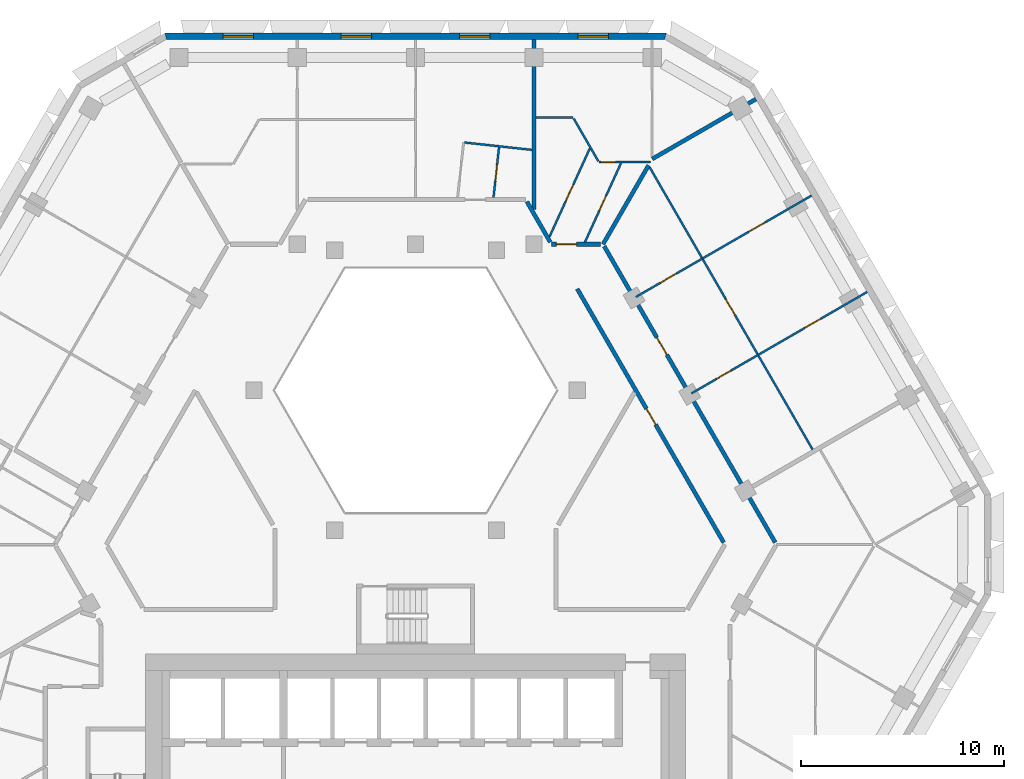
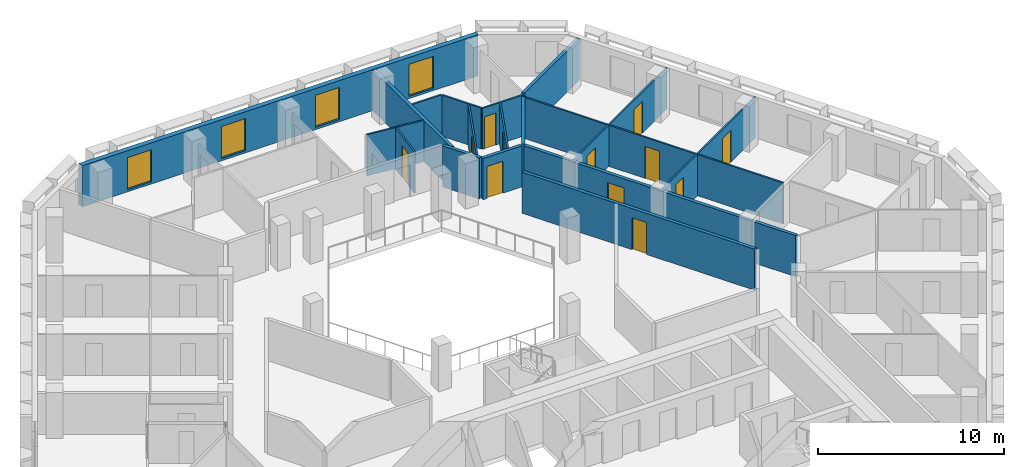
# One storey, part 8 of 15: 20 walls, 12 doors, 4 windows, 16 openings.
"""IFC4 building model written with IfcOpenShell, lengths in metres."""

import ifcopenshell
import ifcopenshell.guid

model = None  # the IFC model being written
_history = None  # IfcOwnerHistory: only IFC2X3 demands one
_inside = {}  # id of a spatial element -> (the spatial element, [elements in it])
_under = {}  # id of a project, library or spatial element -> (it, [spatial elements below it])
_declared = {}  # id of a project -> (the project, [libraries it declares])
_typed = {}  # id of a type object -> (the type object, [elements of that type])
_made_of = {}  # id of a material, layer set ... -> (it, [elements and type objects made of it])


def new_model(schema):
    """Start an empty IFC model of exactly this schema.

    Asked for "IFC4X3", IfcOpenShell would pick the latest addendum, in which some entities
    have other attributes; the version numbers below select the first issue.
    IFC2X3 requires an IfcOwnerHistory on every rooted entity: one is made here for all.
    """
    global model, _history
    if schema == "IFC4X3":
        model = ifcopenshell.file(schema_version=(4, 3, 0, 0))
    else:
        model = ifcopenshell.file(schema=schema)
    _inside.clear()
    _under.clear()
    _declared.clear()
    _typed.clear()
    _made_of.clear()
    _history = None
    if model.schema == "IFC2X3":
        org = make("IfcOrganization", Name="unknown")
        user = make(
            "IfcPersonAndOrganization",
            ThePerson=make("IfcPerson", FamilyName="unknown"),
            TheOrganization=org,
        )
        app = make(
            "IfcApplication",
            ApplicationDeveloper=org,
            Version="unknown",
            ApplicationFullName="unknown",
            ApplicationIdentifier="unknown",
        )
        _history = make(
            "IfcOwnerHistory",
            OwningUser=user,
            OwningApplication=app,
            ChangeAction="ADDED",
            CreationDate=0,
        )
    return model


def make(cls, **values):
    """One entity of the class cls with the attributes given. An attribute that is None is left unset."""
    return model.create_entity(
        cls, **{name: value for name, value in values.items() if value is not None}
    )


def rooted(cls, **values):
    """An entity with a GlobalId (a new one), such as an element, a storey or a relation."""
    return make(cls, GlobalId=ifcopenshell.guid.new(), OwnerHistory=_history, **values)


def si_unit(unit_type, name, prefix=None):
    """IfcSIUnit, for example si_unit("LENGTHUNIT", "METRE", prefix="MILLI")."""
    return make("IfcSIUnit", UnitType=unit_type, Prefix=prefix, Name=name)


def assignment(units):
    """IfcUnitAssignment: the units of a project."""
    return None if units is None else make("IfcUnitAssignment", Units=units)


def point(xyz):
    """IfcCartesianPoint."""
    return None if xyz is None else make("IfcCartesianPoint", Coordinates=xyz)


def direction(xyz):
    """IfcDirection."""
    return None if xyz is None else make("IfcDirection", DirectionRatios=xyz)


def frame(location, z_axis=None, x_axis=None):
    """IfcAxis2Placement3D, a coordinate frame: its origin and axes. An axis left out is left unset."""
    return make(
        "IfcAxis2Placement3D",
        Location=point(location),
        Axis=direction(z_axis),
        RefDirection=direction(x_axis),
    )


def frame_2d(location, x_axis=None):
    """IfcAxis2Placement2D, a coordinate frame in the plane: its origin and x axis."""
    return make(
        "IfcAxis2Placement2D", Location=point(location), RefDirection=direction(x_axis)
    )


def origin():
    """The frame at (0, 0, 0) with its axes left unset."""
    return frame((0.0, 0.0, 0.0))


def place(relative_to, where):
    """IfcLocalPlacement: puts the frame where relative to a parent placement (None: the world)."""
    return make(
        "IfcLocalPlacement", PlacementRelTo=relative_to, RelativePlacement=where
    )


def context(
    kind, dimensions, precision=None, world=None, true_north=None, identifier=None
):
    """IfcGeometricRepresentationContext, for example the 3D "Model" context."""
    return make(
        "IfcGeometricRepresentationContext",
        ContextIdentifier=identifier,
        ContextType=kind,
        CoordinateSpaceDimension=dimensions,
        Precision=precision,
        WorldCoordinateSystem=world,
        TrueNorth=true_north,
    )


def subcontext(parent, identifier, kind, view, scale=None):
    """IfcGeometricRepresentationSubContext, for example "Body" below "Model"."""
    return make(
        "IfcGeometricRepresentationSubContext",
        ContextIdentifier=identifier,
        ContextType=kind,
        ParentContext=parent,
        TargetScale=scale,
        TargetView=view,
    )


def project(units=None, contexts=None):
    """IfcProject with its units and contexts."""
    return rooted(
        "IfcProject",
        Name="project",
        RepresentationContexts=contexts,
        UnitsInContext=assignment(units),
    )


def spatial(cls, under=None, at=None, **own):
    """A site, building, storey or space (cls), placed at a placement, below another one or the project."""
    s = rooted(cls, ObjectPlacement=at, **own)
    if under is not None:
        _under.setdefault(under.id(), (under, []))[1].append(s)
    return s


def polyline(points):
    """IfcPolyline through the points."""
    return make("IfcPolyline", Points=[point(p) for p in points])


def profile(cls, at=None, kind="AREA", **sizes):
    """A parametric profile (cls). Its sizes go by their IFC names, for example OverallWidth=200.0."""
    return make(cls, ProfileType=kind, Position=at, **sizes)


def rectangle(**sizes):
    """IfcRectangleProfileDef."""
    return profile("IfcRectangleProfileDef", **sizes)


def outline(outer, holes=None, kind="AREA"):
    """IfcArbitraryClosedProfileDef: a profile drawn as a closed curve; with holes, ...WithVoids."""
    if holes is None:
        return make("IfcArbitraryClosedProfileDef", ProfileType=kind, OuterCurve=outer)
    return make(
        "IfcArbitraryProfileDefWithVoids",
        ProfileType=kind,
        OuterCurve=outer,
        InnerCurves=holes,
    )


def extrude(swept, where, along, depth):
    """IfcExtrudedAreaSolid: the profile swept, set in the frame where, extruded along a direction by depth."""
    return make(
        "IfcExtrudedAreaSolid",
        SweptArea=swept,
        Position=where,
        ExtrudedDirection=direction(along),
        Depth=depth,
    )


def shape(context_of_items, identifier, shape_type, items):
    """IfcShapeRepresentation: the items that make up one representation, for example the "Body"."""
    return make(
        "IfcShapeRepresentation",
        ContextOfItems=context_of_items,
        RepresentationIdentifier=identifier,
        RepresentationType=shape_type,
        Items=items,
    )


def material(Name=None, Category=None):
    """IfcMaterial."""
    return make("IfcMaterial", Name=Name, Category=Category)


def layer(
    of_material, thickness, ventilated=None, Name=None, Category=None, Priority=None
):
    """IfcMaterialLayer: one layer of a wall or slab, of a material (None: an air gap)."""
    return make(
        "IfcMaterialLayer",
        Material=of_material,
        LayerThickness=thickness,
        IsVentilated=ventilated,
        Name=Name,
        Category=Category,
        Priority=Priority,
    )


def layer_set(layers, Name=None):
    """IfcMaterialLayerSet."""
    return make("IfcMaterialLayerSet", MaterialLayers=layers, LayerSetName=Name)


def made_of(thing, what):
    """Note that an element or type object is made of a material, layer set ...; save() writes the relation."""
    if what is not None:
        _made_of.setdefault(what.id(), (what, []))[1].append(thing)
    return thing


def type_object(cls, material=None, **own):
    """A type object (cls), such as IfcWallType, which elements share."""
    return made_of(rooted(cls, **own), material)


def element(
    cls,
    number,
    at=None,
    inside=None,
    cuts=None,
    type_object=None,
    material=None,
    context=None,
    identifier="Body",
    shape_type=None,
    held_by="IfcProductDefinitionShape",
    body=None,
    shapes=None,
    **own,
):
    """One element of the class cls, such as IfcWall. Its Tag is "e" and its number.

    at: its placement. inside: the storey or other place that contains it. cuts: it is an
    opening in that element (IfcRelVoidsElement). A single representation is given by context,
    identifier, shape_type and body (its items); several are given by shapes. held_by: the class
    of the entity that holds the representations. save() writes the other relations.
    """
    e = rooted(cls, Tag="e%d" % number, ObjectPlacement=at, **own)
    if body is not None:
        shapes = [shape(context, identifier, shape_type, body)]
    if shapes is not None:
        e.Representation = make(held_by, Representations=shapes)
    if inside is not None:
        _inside.setdefault(inside.id(), (inside, []))[1].append(e)
    if cuts is not None:
        rooted(
            "IfcRelVoidsElement", RelatingBuildingElement=cuts, RelatedOpeningElement=e
        )
    if type_object is not None:
        _typed.setdefault(type_object.id(), (type_object, []))[1].append(e)
    return made_of(e, material)


def fill(opening, filler):
    """IfcRelFillsElement: the door or window that sits in an opening."""
    return rooted(
        "IfcRelFillsElement",
        RelatingOpeningElement=opening,
        RelatedBuildingElement=filler,
    )


def aggregate(whole, parts):
    """IfcRelAggregates: a whole, such as a stair, and the parts it consists of."""
    return rooted("IfcRelAggregates", RelatingObject=whole, RelatedObjects=parts)


def save(model, path):
    """Write the relations noted so far, then the file.

    IfcRelAggregates (storeys below a building ...), IfcRelContainedInSpatialStructure (elements
    in a storey), IfcRelDefinesByType, IfcRelAssociatesMaterial and IfcRelDeclares: one each for
    every whole, place, type object, material and project.
    """
    for whole, parts in _under.values():
        aggregate(whole, parts)
    for where, things in _inside.values():
        rooted(
            "IfcRelContainedInSpatialStructure",
            RelatedElements=things,
            RelatingStructure=where,
        )
    for kind, things in _typed.values():
        rooted("IfcRelDefinesByType", RelatedObjects=things, RelatingType=kind)
    for what, things in _made_of.values():
        rooted("IfcRelAssociatesMaterial", RelatedObjects=things, RelatingMaterial=what)
    for by, libraries in _declared.values():
        rooted("IfcRelDeclares", RelatingContext=by, RelatedDefinitions=libraries)
    model.write(path)


model = new_model("IFC4")

# Units and contexts
model_context = context("Model", 3, precision=1e-05, world=origin(), true_north=direction((0.0, 1.0)))
body_context = subcontext(model_context, "Body", "Model", "MODEL_VIEW")
ifc_project = project(units=[si_unit("LENGTHUNIT", "METRE"), si_unit("AREAUNIT", "SQUARE_METRE"), si_unit("VOLUMEUNIT", "CUBIC_METRE"), si_unit("PLANEANGLEUNIT", "RADIAN"), si_unit("MASSUNIT", "GRAM", prefix="KILO")], contexts=[model_context])

# Site, building, storey
site_placement = place(None, origin())
site = spatial("IfcSite", under=ifc_project, at=site_placement, CompositionType="ELEMENT")
building_placement = place(site_placement, origin())
building = spatial("IfcBuilding", under=site, at=building_placement, Name="Beryl Residences", CompositionType="ELEMENT")
storey_placement = place(building_placement, frame((0.0, 0.0, 129.60009765625)))
storey = spatial("IfcBuildingStorey", under=building, at=storey_placement, Name="L39", CompositionType="ELEMENT", Elevation=129.60009765625)

# Wall, openings, windows
ifc_material_1 = material(Name="Composite metal panel with mineral wool insulation")
ifc_layer_1 = layer(ifc_material_1, 0.300048828125)
ifc_layer_set_1 = layer_set([ifc_layer_1], Name="ES1 pale metal composite panel wall 300 mm")
wall_type_1 = type_object("IfcWallType", Name="ES1 pale metal composite panel wall 300 mm", PredefinedType="SOLIDWALL", material=ifc_layer_set_1)
wall_1_placement = place(storey_placement, frame((12.35498046875, 25.449951171875, 0.0), z_axis=(0.0, 0.0, 1.0), x_axis=(-1.0, 0.0, 0.0)))
wall_1 = element("IfcWall", 1, at=wall_1_placement, inside=storey, type_object=wall_type_1, Name="ES1 external wall L39 N", PredefinedType="SOLIDWALL", context=body_context, shape_type="SweptSolid", body=[
    extrude(outline(polyline([(0.0, -0.14990234375), (24.7099609375, -0.14990234375), (24.629638671875, 0.14990234375), (0.080322265625, 0.14990234375), (0.0, -0.14990234375)])), origin(), (0.0, 0.0, 1.0), 2.699951171875),
])
opening_1_placement = place(wall_1_placement, frame((2.85791015625, 0.0, 0.14990234375)))
opening_1 = element("IfcOpeningElement", 2, at=opening_1_placement, cuts=wall_1, Name="Opening W1", PredefinedType="OPENING", context=body_context, shape_type="SweptSolid", body=[
    extrude(rectangle(XDim=1.5, YDim=2.10009765625, at=frame_2d((0.75, 1.050048828125))), frame((0.0, 0.159912109375, 0.0), z_axis=(0.0, -1.0, 0.0), x_axis=(1.0, 0.0, 0.0)), (0.0, 0.0, 1.0), 0.320068359375),
])
opening_2_placement = place(wall_1_placement, frame((8.68896484375, 0.0, 0.14990234375)))
opening_2 = element("IfcOpeningElement", 3, at=opening_2_placement, cuts=wall_1, Name="Opening W1", PredefinedType="OPENING", context=body_context, shape_type="SweptSolid", body=[
    extrude(rectangle(XDim=1.5, YDim=2.10009765625, at=frame_2d((0.75, 1.050048828125))), frame((0.0, 0.159912109375, 0.0), z_axis=(0.0, -1.0, 0.0), x_axis=(1.0, 0.0, 0.0)), (0.0, 0.0, 1.0), 0.320068359375),
])
opening_3_placement = place(wall_1_placement, frame((14.52099609375, 0.0, 0.14990234375)))
opening_3 = element("IfcOpeningElement", 4, at=opening_3_placement, cuts=wall_1, Name="Opening W1", PredefinedType="OPENING", context=body_context, shape_type="SweptSolid", body=[
    extrude(rectangle(XDim=1.5, YDim=2.10009765625, at=frame_2d((0.75, 1.050048828125))), frame((0.0, 0.159912109375, 0.0), z_axis=(0.0, -1.0, 0.0), x_axis=(1.0, 0.0, 0.0)), (0.0, 0.0, 1.0), 0.320068359375),
])
opening_4_placement = place(wall_1_placement, frame((20.35205078125, 0.0, 0.14990234375)))
opening_4 = element("IfcOpeningElement", 5, at=opening_4_placement, cuts=wall_1, Name="Opening W1", PredefinedType="OPENING", context=body_context, shape_type="SweptSolid", body=[
    extrude(rectangle(XDim=1.5, YDim=2.10009765625, at=frame_2d((0.75, 1.050048828125))), frame((0.0, 0.159912109375, 0.0), z_axis=(0.0, -1.0, 0.0), x_axis=(1.0, 0.0, 0.0)), (0.0, 0.0, 1.0), 0.320068359375),
])
ifc_material_2 = material(Name="Aluminium and clear glass", Category="aluminium")
window_type = type_object("IfcWindowType", Name="W1 cell window 1500 x 2100 mm", PartitioningType="SINGLE_PANEL", PredefinedType="WINDOW", material=ifc_material_2)
window_1_placement = place(opening_1_placement, origin())
window_1 = element("IfcWindow", 6, at=window_1_placement, inside=storey, type_object=window_type, Name="W1 window L39 N 2", OverallHeight=2.10009765625, OverallWidth=1.5, PartitioningType="SINGLE_PANEL", PredefinedType="WINDOW", context=body_context, shape_type="SweptSolid", body=[
    extrude(rectangle(XDim=1.5, YDim=2.10009765625, at=frame_2d((0.75, 1.050048828125))), frame((0.0, 0.030029296875, 0.0), z_axis=(0.0, -1.0, 0.0), x_axis=(1.0, 0.0, 0.0)), (0.0, 0.0, 1.0), 0.06005859375),
])
fill(opening_1, window_1)
window_2_placement = place(opening_2_placement, origin())
window_2 = element("IfcWindow", 7, at=window_2_placement, inside=storey, type_object=window_type, Name="W1 window L39 N 4", OverallHeight=2.10009765625, OverallWidth=1.5, PartitioningType="SINGLE_PANEL", PredefinedType="WINDOW", context=body_context, shape_type="SweptSolid", body=[
    extrude(rectangle(XDim=1.5, YDim=2.10009765625, at=frame_2d((0.75, 1.050048828125))), frame((0.0, 0.030029296875, 0.0), z_axis=(0.0, -1.0, 0.0), x_axis=(1.0, 0.0, 0.0)), (0.0, 0.0, 1.0), 0.06005859375),
])
fill(opening_2, window_2)
window_3_placement = place(opening_3_placement, origin())
window_3 = element("IfcWindow", 8, at=window_3_placement, inside=storey, type_object=window_type, Name="W1 window L39 N 6", OverallHeight=2.10009765625, OverallWidth=1.5, PartitioningType="SINGLE_PANEL", PredefinedType="WINDOW", context=body_context, shape_type="SweptSolid", body=[
    extrude(rectangle(XDim=1.5, YDim=2.10009765625, at=frame_2d((0.75, 1.050048828125))), frame((0.0, 0.030029296875, 0.0), z_axis=(0.0, -1.0, 0.0), x_axis=(1.0, 0.0, 0.0)), (0.0, 0.0, 1.0), 0.06005859375),
])
fill(opening_3, window_3)
window_4_placement = place(opening_4_placement, origin())
window_4 = element("IfcWindow", 9, at=window_4_placement, inside=storey, type_object=window_type, Name="W1 window L39 N 8", OverallHeight=2.10009765625, OverallWidth=1.5, PartitioningType="SINGLE_PANEL", PredefinedType="WINDOW", context=body_context, shape_type="SweptSolid", body=[
    extrude(rectangle(XDim=1.5, YDim=2.10009765625, at=frame_2d((0.75, 1.050048828125))), frame((0.0, 0.030029296875, 0.0), z_axis=(0.0, -1.0, 0.0), x_axis=(1.0, 0.0, 0.0)), (0.0, 0.0, 1.0), 0.06005859375),
])
fill(opening_4, window_4)

# Wall
ifc_material_3 = material(Name="Gypsum board partition on steel studs", Category="steel")
ifc_layer_2 = layer(ifc_material_3, 0.10009765625)
ifc_layer_set_2 = layer_set([ifc_layer_2], Name="PT1 partition 100 mm gypsum board on steel studs")
wall_type_2 = type_object("IfcWallType", Name="PT1 partition 100 mm gypsum board on steel studs", PredefinedType="PARTITIONING", material=ifc_layer_set_2)
wall_2_placement = place(storey_placement, frame((7.7919921875, 21.39599609375, 0.0), z_axis=(0.0, 0.0, 1.0), x_axis=(0.499821239653, -0.866128586522, 0.0)))
element("IfcWall", 10, at=wall_2_placement, inside=storey, type_object=wall_type_2, Name="Wall PT1 L39 002", PredefinedType="PARTITIONING", context=body_context, shape_type="SweptSolid", body=[
    extrude(rectangle(XDim=2.4248046875, YDim=0.10009765625, at=frame_2d((1.21240234375, 0.0))), origin(), (0.0, 0.0, 1.0), 2.699951171875),
])

# Wall, opening, door
wall_3_placement = place(storey_placement, frame((11.5390625, 18.986083984375, 0.0), z_axis=(0.0, 0.0, 1.0), x_axis=(0.500019453803, -0.866014171835, 0.0)))
wall_3 = element("IfcWall", 11, at=wall_3_placement, inside=storey, type_object=wall_type_2, Name="Wall PT1 L39 003", PredefinedType="PARTITIONING", context=body_context, shape_type="SweptSolid", body=[
    extrude(rectangle(XDim=16.057373046875, YDim=0.10009765625, at=frame_2d((8.02880859375, 0.0))), origin(), (0.0, 0.0, 1.0), 2.699951171875),
])
opening_5_placement = place(wall_3_placement, frame((7.47998046875, 0.0, 0.0)))
opening_5 = element("IfcOpeningElement", 12, at=opening_5_placement, cuts=wall_3, Name="Opening D1220", PredefinedType="OPENING", context=body_context, shape_type="SweptSolid", body=[
    extrude(rectangle(XDim=0.89990234375, YDim=2.10009765625, at=frame_2d((0.449951171875, 1.050048828125))), frame((0.0, 0.06005859375, 0.0), z_axis=(0.0, -1.0, 0.0), x_axis=(1.0, 0.0, 0.0)), (0.0, 0.0, 1.0), 0.1201171875),
])
ifc_material_4 = material(Name="Timber door leaf", Category="wood")
door_type_1 = type_object("IfcDoorType", Name="D2 room door 900 x 2100 mm", OperationType="SINGLE_SWING_LEFT", PredefinedType="DOOR", material=ifc_material_4)
door_1_placement = place(opening_5_placement, origin())
door_1 = element("IfcDoor", 13, at=door_1_placement, inside=storey, type_object=door_type_1, Name="Door D1220 L39 001", OperationType="SINGLE_SWING_RIGHT", OverallHeight=2.10009765625, OverallWidth=0.89990234375, PredefinedType="DOOR", context=body_context, shape_type="SweptSolid", body=[
    extrude(rectangle(XDim=0.89990234375, YDim=2.10009765625, at=frame_2d((0.449951171875, 1.050048828125))), frame((0.0, 0.02490234375, 0.0), z_axis=(0.0, -1.0, 0.0), x_axis=(1.0, 0.0, 0.0)), (0.0, 0.0, 1.0), 0.050048828125),
])
fill(opening_5, door_1)

# Wall
wall_4_placement = place(storey_placement, frame((2.4189453125, 20.212890625, 0.0), z_axis=(0.0, 0.0, 1.0), x_axis=(0.994022340378, -0.109176860325, 0.0)))
element("IfcWall", 14, at=wall_4_placement, inside=storey, type_object=wall_type_2, Name="Wall PT1 L39 005", PredefinedType="PARTITIONING", context=body_context, shape_type="SweptSolid", body=[
    extrude(rectangle(XDim=3.33203125, YDim=0.10009765625, at=frame_2d((1.666015625, 0.0))), origin(), (0.0, 0.0, 1.0), 2.699951171875),
])

# Wall, opening, door
wall_5_placement = place(storey_placement, frame((9.032958984375, 19.24609375, 0.0), z_axis=(0.0, 0.0, 1.0), x_axis=(1.0, 0.0, 0.0)))
wall_5 = element("IfcWall", 15, at=wall_5_placement, inside=storey, type_object=wall_type_2, Name="Wall PT1 L39 026", PredefinedType="PARTITIONING", context=body_context, shape_type="SweptSolid", body=[
    extrude(rectangle(XDim=2.541015625, YDim=0.10009765625, at=frame_2d((1.2705078125, 0.0))), origin(), (0.0, 0.0, 1.0), 2.699951171875),
])
opening_6_placement = place(wall_5_placement, frame((0.116943359375, 0.0, 0.0)))
opening_6 = element("IfcOpeningElement", 16, at=opening_6_placement, cuts=wall_5, Name="Opening D1228", PredefinedType="OPENING", context=body_context, shape_type="SweptSolid", body=[
    extrude(rectangle(XDim=0.699951171875, YDim=2.10009765625, at=frame_2d((0.35009765625, 1.050048828125))), frame((0.0, 0.06005859375, 0.0), z_axis=(0.0, -1.0, 0.0), x_axis=(1.0, 0.0, 0.0)), (0.0, 0.0, 1.0), 0.1201171875),
])
ifc_material_5 = material(Name="Timber door leaf", Category="wood")
door_type_2 = type_object("IfcDoorType", Name="D14 room door 700 x 2100 mm", OperationType="SINGLE_SWING_LEFT", PredefinedType="DOOR", material=ifc_material_5)
door_2_placement = place(opening_6_placement, origin())
door_2 = element("IfcDoor", 17, at=door_2_placement, inside=storey, type_object=door_type_2, Name="Door D1228 L39 001", OperationType="SINGLE_SWING_RIGHT", OverallHeight=2.10009765625, OverallWidth=0.699951171875, PredefinedType="DOOR", context=body_context, shape_type="SweptSolid", body=[
    extrude(rectangle(XDim=0.699951171875, YDim=2.10009765625, at=frame_2d((0.35009765625, 1.050048828125))), frame((0.0, 0.02490234375, 0.0), z_axis=(0.0, -1.0, 0.0), x_axis=(1.0, 0.0, 0.0)), (0.0, 0.0, 1.0), 0.050048828125),
])
fill(opening_6, door_2)

# Wall
wall_6_placement = place(storey_placement, frame((5.930908203125, 21.446044921875, 0.0), z_axis=(0.0, 0.0, 1.0), x_axis=(1.0, 0.0, 0.0)))
element("IfcWall", 18, at=wall_6_placement, inside=storey, type_object=wall_type_2, Name="Wall PT1 L39 028", PredefinedType="PARTITIONING", context=body_context, shape_type="SweptSolid", body=[
    extrude(rectangle(XDim=1.83203125, YDim=0.10009765625, at=frame_2d((0.916015625, 0.0))), origin(), (0.0, 0.0, 1.0), 2.699951171875),
])

# Wall, opening, door
wall_7_placement = place(storey_placement, frame((8.345947265625, 15.300048828125, 0.0), z_axis=(0.0, 0.0, 1.0), x_axis=(0.415189790387, 0.909734817383, 0.0)))
wall_7 = element("IfcWall", 19, at=wall_7_placement, inside=storey, type_object=wall_type_2, Name="Wall PT1 L39 033", PredefinedType="PARTITIONING", context=body_context, shape_type="SweptSolid", body=[
    extrude(rectangle(XDim=4.282470703125, YDim=0.10009765625, at=frame_2d((2.14111328125, 0.0))), origin(), (0.0, 0.0, 1.0), 2.699951171875),
])
opening_7_placement = place(wall_7_placement, frame((1.714111328125, 0.0, 0.0)))
opening_7 = element("IfcOpeningElement", 20, at=opening_7_placement, cuts=wall_7, Name="Opening D1227", PredefinedType="OPENING", context=body_context, shape_type="SweptSolid", body=[
    extrude(rectangle(XDim=0.800048828125, YDim=2.10009765625, at=frame_2d((0.39990234375, 1.050048828125))), frame((0.0, 0.06005859375, 0.0), z_axis=(0.0, -1.0, 0.0), x_axis=(1.0, 0.0, 0.0)), (0.0, 0.0, 1.0), 0.1201171875),
])
ifc_material_6 = material(Name="Timber door leaf", Category="wood")
door_type_3 = type_object("IfcDoorType", Name="D3 bathroom door 800 x 2100 mm", OperationType="SINGLE_SWING_LEFT", PredefinedType="DOOR", material=ifc_material_6)
door_3_placement = place(opening_7_placement, origin())
door_3 = element("IfcDoor", 21, at=door_3_placement, inside=storey, type_object=door_type_3, Name="Door D1227 L39 001", OperationType="SINGLE_SWING_LEFT", OverallHeight=2.10009765625, OverallWidth=0.800048828125, PredefinedType="DOOR", context=body_context, shape_type="SweptSolid", body=[
    extrude(rectangle(XDim=0.800048828125, YDim=2.10009765625, at=frame_2d((0.39990234375, 1.050048828125))), frame((0.0, 0.02490234375, 0.0), z_axis=(0.0, -1.0, 0.0), x_axis=(1.0, 0.0, 0.0)), (0.0, 0.0, 1.0), 0.050048828125),
])
fill(opening_7, door_3)

wall_8_placement = place(storey_placement, frame((6.60009765625, 15.569091796875, 0.0), z_axis=(0.0, 0.0, 1.0), x_axis=(0.415221636251, 0.909720282718, 0.0)))
wall_8 = element("IfcWall", 22, at=wall_8_placement, inside=storey, type_object=wall_type_2, Name="Wall PT1 L39 034", PredefinedType="PARTITIONING", context=body_context, shape_type="SweptSolid", body=[
    extrude(rectangle(XDim=4.78271484375, YDim=0.10009765625, at=frame_2d((2.391357421875, 0.0))), origin(), (0.0, 0.0, 1.0), 2.699951171875),
])
opening_8_placement = place(wall_8_placement, frame((1.910888671875, 0.0, 0.0)))
opening_8 = element("IfcOpeningElement", 23, at=opening_8_placement, cuts=wall_8, Name="Opening D1226", PredefinedType="OPENING", context=body_context, shape_type="SweptSolid", body=[
    extrude(rectangle(XDim=0.89990234375, YDim=2.10009765625, at=frame_2d((0.449951171875, 1.050048828125))), frame((0.0, 0.06005859375, 0.0), z_axis=(0.0, -1.0, 0.0), x_axis=(1.0, 0.0, 0.0)), (0.0, 0.0, 1.0), 0.1201171875),
])
door_4_placement = place(opening_8_placement, origin())
door_4 = element("IfcDoor", 24, at=door_4_placement, inside=storey, type_object=door_type_1, Name="Door D1226 L39 001", OperationType="SINGLE_SWING_RIGHT", OverallHeight=2.10009765625, OverallWidth=0.89990234375, PredefinedType="DOOR", context=body_context, shape_type="SweptSolid", body=[
    extrude(rectangle(XDim=0.89990234375, YDim=2.10009765625, at=frame_2d((0.449951171875, 1.050048828125))), frame((0.0, 0.02490234375, 0.0), z_axis=(0.0, -1.0, 0.0), x_axis=(1.0, 0.0, 0.0)), (0.0, 0.0, 1.0), 0.050048828125),
])
fill(opening_8, door_4)

wall_9_placement = place(storey_placement, frame((3.840087890625, 17.5, 0.0), z_axis=(0.0, 0.0, 1.0), x_axis=(0.109141067014, 0.994026271027, 0.0)))
wall_9 = element("IfcWall", 25, at=wall_9_placement, inside=storey, type_object=wall_type_2, Name="Wall PT1 L39 037", PredefinedType="PARTITIONING", context=body_context, shape_type="SweptSolid", body=[
    extrude(rectangle(XDim=2.491943359375, YDim=0.10009765625, at=frame_2d((1.24609375, 0.0))), origin(), (0.0, 0.0, 1.0), 2.699951171875),
])
opening_9_placement = place(wall_9_placement, frame((0.820068359375, 0.0, 0.0)))
opening_9 = element("IfcOpeningElement", 26, at=opening_9_placement, cuts=wall_9, Name="Opening D1232", PredefinedType="OPENING", context=body_context, shape_type="SweptSolid", body=[
    extrude(rectangle(XDim=0.800048828125, YDim=2.10009765625, at=frame_2d((0.39990234375, 1.050048828125))), frame((0.0, 0.06005859375, 0.0), z_axis=(0.0, -1.0, 0.0), x_axis=(1.0, 0.0, 0.0)), (0.0, 0.0, 1.0), 0.1201171875),
])
door_5_placement = place(opening_9_placement, origin())
door_5 = element("IfcDoor", 27, at=door_5_placement, inside=storey, type_object=door_type_3, Name="Door D1232 L39 001", OperationType="SINGLE_SWING_RIGHT", OverallHeight=2.10009765625, OverallWidth=0.800048828125, PredefinedType="DOOR", context=body_context, shape_type="SweptSolid", body=[
    extrude(rectangle(XDim=0.800048828125, YDim=2.10009765625, at=frame_2d((0.39990234375, 1.050048828125))), frame((0.0, 0.02490234375, 0.0), z_axis=(0.0, -1.0, 0.0), x_axis=(1.0, 0.0, 0.0)), (0.0, 0.0, 1.0), 0.050048828125),
])
fill(opening_9, door_5)

wall_10_placement = place(storey_placement, frame((13.596923828125, 7.85009765625, 0.0), z_axis=(0.0, 0.0, 1.0), x_axis=(0.8660642533, 0.499932704626, 0.0)))
wall_10 = element("IfcWall", 28, at=wall_10_placement, inside=storey, type_object=wall_type_2, Name="Wall PT1 L39 051", PredefinedType="PARTITIONING", context=body_context, shape_type="SweptSolid", body=[
    extrude(rectangle(XDim=3.7861328125, YDim=0.10009765625, at=frame_2d((1.89306640625, 0.0))), origin(), (0.0, 0.0, 1.0), 2.699951171875),
])
opening_10_placement = place(wall_10_placement, frame((1.443115234375, 0.0, 0.0)))
opening_10 = element("IfcOpeningElement", 29, at=opening_10_placement, cuts=wall_10, Name="Opening D1222", PredefinedType="OPENING", context=body_context, shape_type="SweptSolid", body=[
    extrude(rectangle(XDim=0.800048828125, YDim=2.10009765625, at=frame_2d((0.39990234375, 1.050048828125))), frame((0.0, 0.06005859375, 0.0), z_axis=(0.0, -1.0, 0.0), x_axis=(1.0, 0.0, 0.0)), (0.0, 0.0, 1.0), 0.1201171875),
])
door_6_placement = place(opening_10_placement, origin())
door_6 = element("IfcDoor", 30, at=door_6_placement, inside=storey, type_object=door_type_3, Name="Door D1222 L39 001", OperationType="SINGLE_SWING_RIGHT", OverallHeight=2.10009765625, OverallWidth=0.800048828125, PredefinedType="DOOR", context=body_context, shape_type="SweptSolid", body=[
    extrude(rectangle(XDim=0.800048828125, YDim=2.10009765625, at=frame_2d((0.39990234375, 1.050048828125))), frame((0.0, 0.02490234375, 0.0), z_axis=(0.0, -1.0, 0.0), x_axis=(1.0, 0.0, 0.0)), (0.0, 0.0, 1.0), 0.050048828125),
])
fill(opening_10, door_6)

wall_11_placement = place(storey_placement, frame((10.85400390625, 12.60009765625, 0.0), z_axis=(0.0, 0.0, 1.0), x_axis=(0.8660642533, 0.499932704626, 0.0)))
wall_11 = element("IfcWall", 31, at=wall_11_placement, inside=storey, type_object=wall_type_2, Name="Wall PT1 L39 052", PredefinedType="PARTITIONING", context=body_context, shape_type="SweptSolid", body=[
    extrude(rectangle(XDim=3.7861328125, YDim=0.10009765625, at=frame_2d((1.89306640625, 0.0))), origin(), (0.0, 0.0, 1.0), 2.699951171875),
])
opening_11_placement = place(wall_11_placement, frame((1.39306640625, 0.0, 0.0)))
opening_11 = element("IfcOpeningElement", 32, at=opening_11_placement, cuts=wall_11, Name="Opening D1221", PredefinedType="OPENING", context=body_context, shape_type="SweptSolid", body=[
    extrude(rectangle(XDim=0.89990234375, YDim=2.10009765625, at=frame_2d((0.449951171875, 1.050048828125))), frame((0.0, 0.06005859375, 0.0), z_axis=(0.0, -1.0, 0.0), x_axis=(1.0, 0.0, 0.0)), (0.0, 0.0, 1.0), 0.1201171875),
])
door_7_placement = place(opening_11_placement, origin())
door_7 = element("IfcDoor", 33, at=door_7_placement, inside=storey, type_object=door_type_1, Name="Door D1221 L39 001", OperationType="SINGLE_SWING_LEFT", OverallHeight=2.10009765625, OverallWidth=0.89990234375, PredefinedType="DOOR", context=body_context, shape_type="SweptSolid", body=[
    extrude(rectangle(XDim=0.89990234375, YDim=2.10009765625, at=frame_2d((0.449951171875, 1.050048828125))), frame((0.0, 0.02490234375, 0.0), z_axis=(0.0, -1.0, 0.0), x_axis=(1.0, 0.0, 0.0)), (0.0, 0.0, 1.0), 0.050048828125),
])
fill(opening_11, door_7)

wall_12_placement = place(storey_placement, frame((16.8759765625, 9.742919921875, 0.0), z_axis=(0.0, 0.0, 1.0), x_axis=(0.865997794851, 0.500047817026, 0.0)))
wall_12 = element("IfcWall", 34, at=wall_12_placement, inside=storey, type_object=wall_type_2, Name="Wall PT1 L39 053", PredefinedType="PARTITIONING", context=body_context, shape_type="SweptSolid", body=[
    extrude(rectangle(XDim=6.2138671875, YDim=0.10009765625, at=frame_2d((3.10693359375, 0.0))), origin(), (0.0, 0.0, 1.0), 2.699951171875),
])
opening_12_placement = place(wall_12_placement, frame((2.656982421875, 0.0, 0.0)))
opening_12 = element("IfcOpeningElement", 35, at=opening_12_placement, cuts=wall_12, Name="Opening D1223", PredefinedType="OPENING", context=body_context, shape_type="SweptSolid", body=[
    extrude(rectangle(XDim=0.89990234375, YDim=2.10009765625, at=frame_2d((0.449951171875, 1.050048828125))), frame((0.0, 0.06005859375, 0.0), z_axis=(0.0, -1.0, 0.0), x_axis=(1.0, 0.0, 0.0)), (0.0, 0.0, 1.0), 0.1201171875),
])
door_8_placement = place(opening_12_placement, origin())
door_8 = element("IfcDoor", 36, at=door_8_placement, inside=storey, type_object=door_type_1, Name="Door D1223 L39 001", OperationType="SINGLE_SWING_LEFT", OverallHeight=2.10009765625, OverallWidth=0.89990234375, PredefinedType="DOOR", context=body_context, shape_type="SweptSolid", body=[
    extrude(rectangle(XDim=0.89990234375, YDim=2.10009765625, at=frame_2d((0.449951171875, 1.050048828125))), frame((0.0, 0.02490234375, 0.0), z_axis=(0.0, -1.0, 0.0), x_axis=(1.0, 0.0, 0.0)), (0.0, 0.0, 1.0), 0.050048828125),
])
fill(opening_12, door_8)

wall_13_placement = place(storey_placement, frame((14.133056640625, 14.492919921875, 0.0), z_axis=(0.0, 0.0, 1.0), x_axis=(0.866056028236, 0.499946953142, 0.0)))
wall_13 = element("IfcWall", 37, at=wall_13_placement, inside=storey, type_object=wall_type_2, Name="Wall PT1 L39 054", PredefinedType="PARTITIONING", context=body_context, shape_type="SweptSolid", body=[
    extrude(rectangle(XDim=6.213134765625, YDim=0.10009765625, at=frame_2d((3.1064453125, 0.0))), origin(), (0.0, 0.0, 1.0), 2.699951171875),
])
opening_13_placement = place(wall_13_placement, frame((2.656982421875, 0.0, 0.0)))
opening_13 = element("IfcOpeningElement", 38, at=opening_13_placement, cuts=wall_13, Name="Opening D1224", PredefinedType="OPENING", context=body_context, shape_type="SweptSolid", body=[
    extrude(rectangle(XDim=0.89990234375, YDim=2.10009765625, at=frame_2d((0.449951171875, 1.050048828125))), frame((0.0, 0.06005859375, 0.0), z_axis=(0.0, -1.0, 0.0), x_axis=(1.0, 0.0, 0.0)), (0.0, 0.0, 1.0), 0.1201171875),
])
door_9_placement = place(opening_13_placement, origin())
door_9 = element("IfcDoor", 39, at=door_9_placement, inside=storey, type_object=door_type_1, Name="Door D1224 L39 001", OperationType="SINGLE_SWING_RIGHT", OverallHeight=2.10009765625, OverallWidth=0.89990234375, PredefinedType="DOOR", context=body_context, shape_type="SweptSolid", body=[
    extrude(rectangle(XDim=0.89990234375, YDim=2.10009765625, at=frame_2d((0.449951171875, 1.050048828125))), frame((0.0, 0.02490234375, 0.0), z_axis=(0.0, -1.0, 0.0), x_axis=(1.0, 0.0, 0.0)), (0.0, 0.0, 1.0), 0.050048828125),
])
fill(opening_13, door_9)

# Walls
ifc_material_7 = material(Name="Acoustic double stud gypsum board wall")
ifc_layer_3 = layer(ifc_material_7, 0.199951171875)
ifc_layer_set_3 = layer_set([ifc_layer_3], Name="PT3 party wall 200 mm acoustic double stud")
wall_type_3 = type_object("IfcWallType", Name="PT3 party wall 200 mm acoustic double stud", PredefinedType="PARTITIONING", material=ifc_layer_set_3)
wall_14_placement = place(storey_placement, frame((9.238037109375, 15.199951171875, 0.0), z_axis=(0.0, 0.0, 1.0), x_axis=(0.499890453443, 0.866088641281, 0.0)))
element("IfcWall", 40, at=wall_14_placement, inside=storey, type_object=wall_type_3, Name="Wall PT3 L39 008", PredefinedType="PARTITIONING", context=body_context, shape_type="SweptSolid", body=[
    extrude(rectangle(XDim=4.48681640625, YDim=0.199951171875, at=frame_2d((2.243408203125, 0.0))), origin(), (0.0, 0.0, 1.0), 2.699951171875),
])
wall_15_placement = place(storey_placement, frame((5.8310546875, 16.903076171875, 0.0), z_axis=(0.0, 0.0, 1.0), x_axis=(0.0, 1.0, 0.0)))
element("IfcWall", 41, at=wall_15_placement, inside=storey, type_object=wall_type_3, Name="Wall PT3 L39 009", PredefinedType="PARTITIONING", context=body_context, shape_type="SweptSolid", body=[
    extrude(rectangle(XDim=8.39697265625, YDim=0.199951171875, at=frame_2d((4.198486328125, 0.0))), origin(), (0.0, 0.0, 1.0), 2.699951171875),
])
wall_16_placement = place(storey_placement, frame((11.6630859375, 19.39990234375, 0.0), z_axis=(0.0, 0.0, 1.0), x_axis=(0.865941558533, 0.500145196124, 0.0)))
element("IfcWall", 42, at=wall_16_placement, inside=storey, type_object=wall_type_3, Name="Wall PT3 L39 014", PredefinedType="PARTITIONING", context=body_context, shape_type="SweptSolid", body=[
    extrude(rectangle(XDim=5.898681640625, YDim=0.199951171875, at=frame_2d((2.94921875, 0.0))), origin(), (0.0, 0.0, 1.0), 2.699951171875),
])
ifc_material_8 = material(Name="Double stud gypsum board wall")
ifc_layer_4 = layer(ifc_material_8, 0.199951171875)
ifc_layer_set_4 = layer_set([ifc_layer_4], Name="PT4 corridor wall 200 mm double stud")
wall_type_4 = type_object("IfcWallType", Name="PT4 corridor wall 200 mm double stud", PredefinedType="PARTITIONING", material=ifc_layer_set_4)
wall_17_placement = place(storey_placement, frame((5.485107421875, 17.300048828125, 0.0), z_axis=(0.0, 0.0, 1.0), x_axis=(0.500027479704, -0.866009537788, 0.0)))
element("IfcWall", 43, at=wall_17_placement, inside=storey, type_object=wall_type_4, Name="Wall PT4 L39 005", PredefinedType="PARTITIONING", context=body_context, shape_type="SweptSolid", body=[
    extrude(rectangle(XDim=2.309326171875, YDim=0.199951171875, at=frame_2d((1.15478515625, 0.0))), origin(), (0.0, 0.0, 1.0), 2.699951171875),
])

# Wall, opening, door
wall_18_placement = place(storey_placement, frame((7.967041015625, 13.0, 0.0), z_axis=(0.0, 0.0, 1.0), x_axis=(0.50003774998, -0.866003607726, 0.0)))
wall_18 = element("IfcWall", 44, at=wall_18_placement, inside=storey, type_object=wall_type_4, Name="Wall PT4 L39 006", PredefinedType="PARTITIONING", context=body_context, shape_type="SweptSolid", body=[
    extrude(rectangle(XDim=14.43310546875, YDim=0.199951171875, at=frame_2d((7.216552734375, 0.0))), origin(), (0.0, 0.0, 1.0), 2.699951171875),
])
opening_14_placement = place(wall_18_placement, frame((6.823974609375, 0.0, 0.0)))
opening_14 = element("IfcOpeningElement", 45, at=opening_14_placement, cuts=wall_18, Name="Opening D1255", PredefinedType="OPENING", context=body_context, shape_type="SweptSolid", body=[
    extrude(rectangle(XDim=0.89990234375, YDim=2.10009765625, at=frame_2d((0.449951171875, 1.050048828125))), frame((0.0, 0.10986328125, 0.0), z_axis=(0.0, -1.0, 0.0), x_axis=(1.0, 0.0, 0.0)), (0.0, 0.0, 1.0), 0.219970703125),
])
door_10_placement = place(opening_14_placement, origin())
door_10 = element("IfcDoor", 46, at=door_10_placement, inside=storey, type_object=door_type_1, Name="Door D1255 L39 001", OperationType="SINGLE_SWING_LEFT", OverallHeight=2.10009765625, OverallWidth=0.89990234375, PredefinedType="DOOR", context=body_context, shape_type="SweptSolid", body=[
    extrude(rectangle(XDim=0.89990234375, YDim=2.10009765625, at=frame_2d((0.449951171875, 1.050048828125))), frame((0.0, 0.02490234375, 0.0), z_axis=(0.0, -1.0, 0.0), x_axis=(1.0, 0.0, 0.0)), (0.0, 0.0, 1.0), 0.050048828125),
])
fill(opening_14, door_10)

wall_19_placement = place(storey_placement, frame((9.2958984375, 15.10009765625, 0.0), z_axis=(0.0, 0.0, 1.0), x_axis=(0.499974024244, -0.866040400375, 0.0)))
wall_19 = element("IfcWall", 47, at=wall_19_placement, inside=storey, type_object=wall_type_4, Name="Wall PT4 L39 007", PredefinedType="PARTITIONING", context=body_context, shape_type="SweptSolid", body=[
    extrude(rectangle(XDim=16.857421875, YDim=0.199951171875, at=frame_2d((8.4287109375, 0.0))), origin(), (0.0, 0.0, 1.0), 2.699951171875),
])
opening_15_placement = place(wall_19_placement, frame((5.18701171875, 0.0, 0.0)))
opening_15 = element("IfcOpeningElement", 48, at=opening_15_placement, cuts=wall_19, Name="Opening D1219", PredefinedType="OPENING", context=body_context, shape_type="SweptSolid", body=[
    extrude(rectangle(XDim=1.0, YDim=2.10009765625, at=frame_2d((0.5, 1.050048828125))), frame((0.0, 0.10986328125, 0.0), z_axis=(0.0, -1.0, 0.0), x_axis=(1.0, 0.0, 0.0)), (0.0, 0.0, 1.0), 0.219970703125),
])
ifc_material_9 = material(Name="Timber door leaf", Category="wood")
door_type_4 = type_object("IfcDoorType", Name="D1 flat entrance door 1000 x 2100 mm", OperationType="SINGLE_SWING_LEFT", PredefinedType="DOOR", material=ifc_material_9)
door_11_placement = place(opening_15_placement, origin())
door_11 = element("IfcDoor", 49, at=door_11_placement, inside=storey, type_object=door_type_4, Name="Door D1219 L39 001", OperationType="SINGLE_SWING_LEFT", OverallHeight=2.10009765625, OverallWidth=1.0, PredefinedType="DOOR", context=body_context, shape_type="SweptSolid", body=[
    extrude(rectangle(XDim=1.0, YDim=2.10009765625, at=frame_2d((0.5, 1.050048828125))), frame((0.0, 0.02490234375, 0.0), z_axis=(0.0, -1.0, 0.0), x_axis=(1.0, 0.0, 0.0)), (0.0, 0.0, 1.0), 0.050048828125),
])
fill(opening_15, door_11)

wall_20_placement = place(storey_placement, frame((6.697021484375, 15.199951171875, 0.0), z_axis=(0.0, 0.0, 1.0), x_axis=(1.0, 0.0, 0.0)))
wall_20 = element("IfcWall", 50, at=wall_20_placement, inside=storey, type_object=wall_type_4, Name="Wall PT4 L39 016", PredefinedType="PARTITIONING", context=body_context, shape_type="SweptSolid", body=[
    extrude(rectangle(XDim=2.425048828125, YDim=0.199951171875, at=frame_2d((1.21240234375, 0.0))), origin(), (0.0, 0.0, 1.0), 2.699951171875),
])
opening_16_placement = place(wall_20_placement, frame((0.242919921875, 0.0, 0.0)))
opening_16 = element("IfcOpeningElement", 51, at=opening_16_placement, cuts=wall_20, Name="Opening D1225", PredefinedType="OPENING", context=body_context, shape_type="SweptSolid", body=[
    extrude(rectangle(XDim=1.0, YDim=2.10009765625, at=frame_2d((0.5, 1.050048828125))), frame((0.0, 0.10986328125, 0.0), z_axis=(0.0, -1.0, 0.0), x_axis=(1.0, 0.0, 0.0)), (0.0, 0.0, 1.0), 0.219970703125),
])
door_12_placement = place(opening_16_placement, origin())
door_12 = element("IfcDoor", 52, at=door_12_placement, inside=storey, type_object=door_type_4, Name="Door D1225 L39 001", OperationType="SINGLE_SWING_LEFT", OverallHeight=2.10009765625, OverallWidth=1.0, PredefinedType="DOOR", context=body_context, shape_type="SweptSolid", body=[
    extrude(rectangle(XDim=1.0, YDim=2.10009765625, at=frame_2d((0.5, 1.050048828125))), frame((0.0, 0.02490234375, 0.0), z_axis=(0.0, -1.0, 0.0), x_axis=(1.0, 0.0, 0.0)), (0.0, 0.0, 1.0), 0.050048828125),
])
fill(opening_16, door_12)

save(model, "model.ifc")
